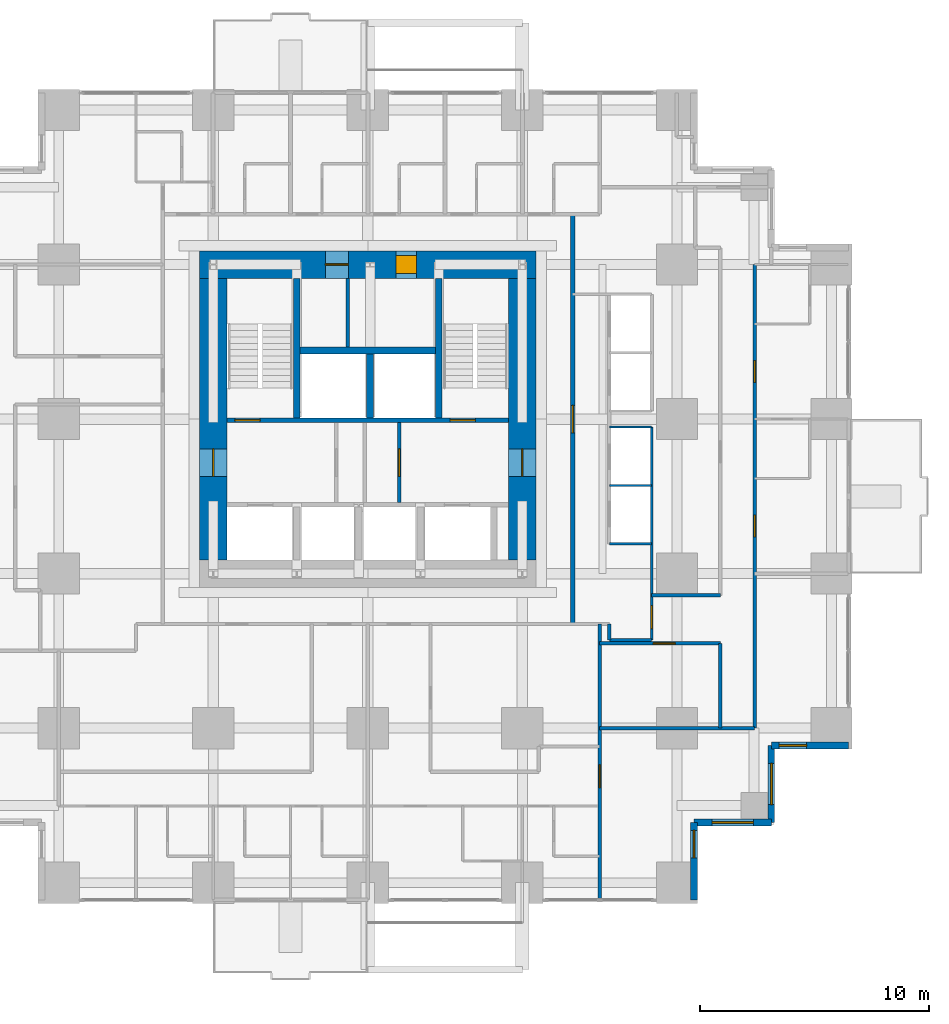
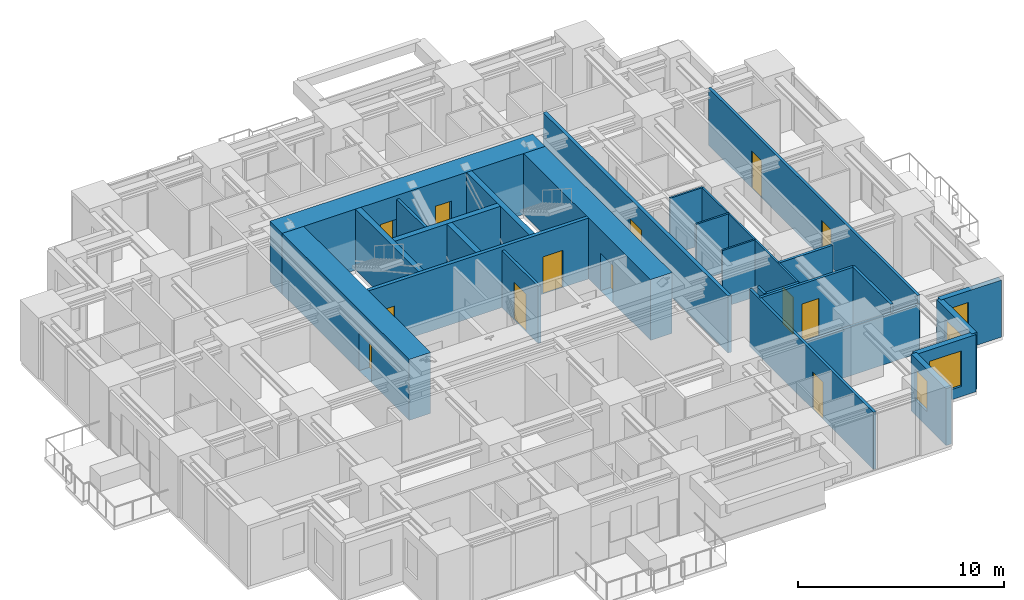
# One storey, part 9 of 13: 27 walls, 13 doors, 4 windows, 17 openings.
"""IFC4 building model written with IfcOpenShell, lengths in metres."""

from ifc_helpers import new_model, si_unit, direction, frame, frame_2d, origin, place, context, subcontext, project, spatial, rectangle, extrude, material, layer, layer_set, type_object, element, fill, save


model = new_model("IFC4")

# Units and contexts
model_context = context("Model", 3, precision=1e-05, world=origin(), true_north=direction((0.0, 1.0)))
body_context = subcontext(model_context, "Body", "Model", "MODEL_VIEW")
ifc_project = project(units=[si_unit("LENGTHUNIT", "METRE"), si_unit("AREAUNIT", "SQUARE_METRE"), si_unit("VOLUMEUNIT", "CUBIC_METRE"), si_unit("PLANEANGLEUNIT", "RADIAN"), si_unit("MASSUNIT", "GRAM", prefix="KILO")], contexts=[model_context])

# Site, building, storey
site_placement = place(None, origin())
site = spatial("IfcSite", under=ifc_project, at=site_placement, CompositionType="ELEMENT")
building_placement = place(site_placement, origin())
building = spatial("IfcBuilding", under=site, at=building_placement, Name="Nyansa Garden Tower", CompositionType="ELEMENT")
storey_placement = place(building_placement, frame((0.0, 0.0, 87.300048828125)))
storey = spatial("IfcBuildingStorey", under=building, at=storey_placement, Name="L23", CompositionType="ELEMENT", Elevation=87.300048828125)

# Wall, openings, doors
ifc_material_1 = material(Name="Concrete C70/85", Category="concrete")
ifc_layer_1 = layer(ifc_material_1, 0.199951171875)
ifc_layer_set_1 = layer_set([ifc_layer_1], Name="Core inner wall CI200")
wall_type_1 = type_object("IfcWallType", Name="Core inner wall CI200", PredefinedType="SHEAR", material=ifc_layer_set_1)
wall_1_placement = place(storey_placement, frame((14.10009765625, 20.199951171875, 0.0), z_axis=(0.0, 0.0, 1.0), x_axis=(1.0, 0.0, 0.0)))
wall_1 = element("IfcWall", 1, at=wall_1_placement, inside=storey, type_object=wall_type_1, Name="Core inner wall L23", PredefinedType="SHEAR", context=body_context, shape_type="SweptSolid", body=[
    extrude(rectangle(XDim=12.2998046875, YDim=0.199951171875, at=frame_2d((6.14990234375, 0.0))), origin(), (0.0, 0.0, 1.0), 3.599853515625),
])
opening_1_placement = place(wall_1_placement, frame((0.35009765625, 0.0, 0.0)))
opening_1 = element("IfcOpeningElement", 2, at=opening_1_placement, cuts=wall_1, Name="Opening D05", PredefinedType="OPENING", context=body_context, shape_type="SweptSolid", body=[
    extrude(rectangle(XDim=1.10009765625, YDim=2.199951171875, at=frame_2d((0.550048828125, 1.10009765625))), frame((0.0, 0.10986328125, 0.0), z_axis=(0.0, -1.0, 0.0), x_axis=(1.0, 0.0, 0.0)), (0.0, 0.0, 1.0), 0.219970703125),
])
opening_2_placement = place(wall_1_placement, frame((9.75, 0.0, 0.0)))
opening_2 = element("IfcOpeningElement", 3, at=opening_2_placement, cuts=wall_1, Name="Opening D05", PredefinedType="OPENING", context=body_context, shape_type="SweptSolid", body=[
    extrude(rectangle(XDim=1.10009765625, YDim=2.199951171875, at=frame_2d((0.550048828125, 1.10009765625))), frame((0.0, 0.10986328125, 0.0), z_axis=(0.0, -1.0, 0.0), x_axis=(1.0, 0.0, 0.0)), (0.0, 0.0, 1.0), 0.219970703125),
])
ifc_material_2 = material(Name="Steel door, 120 minute fire resisting", Category="steel")
door_type_1 = type_object("IfcDoorType", Name="Stair door D05 1100x2200", OperationType="SINGLE_SWING_LEFT", PredefinedType="DOOR", material=ifc_material_2)
door_1_placement = place(opening_1_placement, origin())
door_1 = element("IfcDoor", 4, at=door_1_placement, inside=storey, type_object=door_type_1, Name="Stair S1 door", OperationType="SINGLE_SWING_LEFT", OverallHeight=2.199951171875, OverallWidth=1.10009765625, PredefinedType="DOOR", context=body_context, shape_type="SweptSolid", body=[
    extrude(rectangle(XDim=1.10009765625, YDim=2.199951171875, at=frame_2d((0.550048828125, 1.10009765625))), frame((0.0, 0.02490234375, 0.0), z_axis=(0.0, -1.0, 0.0), x_axis=(1.0, 0.0, 0.0)), (0.0, 0.0, 1.0), 0.050048828125),
])
fill(opening_1, door_1)
door_2_placement = place(opening_2_placement, origin())
door_2 = element("IfcDoor", 5, at=door_2_placement, inside=storey, type_object=door_type_1, Name="Stair S2 door", OperationType="SINGLE_SWING_LEFT", OverallHeight=2.199951171875, OverallWidth=1.10009765625, PredefinedType="DOOR", context=body_context, shape_type="SweptSolid", body=[
    extrude(rectangle(XDim=1.10009765625, YDim=2.199951171875, at=frame_2d((0.550048828125, 1.10009765625))), frame((0.0, 0.02490234375, 0.0), z_axis=(0.0, -1.0, 0.0), x_axis=(1.0, 0.0, 0.0)), (0.0, 0.0, 1.0), 0.050048828125),
])
fill(opening_2, door_2)

# Walls
ifc_material_3 = material(Name="Concrete C70/85", Category="concrete")
ifc_layer_2 = layer(ifc_material_3, 0.300048828125)
ifc_layer_set_2 = layer_set([ifc_layer_2], Name="Core inner wall CI300")
wall_type_2 = type_object("IfcWallType", Name="Core inner wall CI300", PredefinedType="SHEAR", material=ifc_layer_set_2)
for number, where, z_axis, x_axis, name in (
    (6, (17.14990234375, 20.300048828125, 0.0), (0.0, 0.0, 1.0), (0.0, 1.0, 0.0), "Core inner wall L23"),
    (7, (23.35009765625, 20.300048828125, 0.0), (0.0, 0.0, 1.0), (0.0, 1.0, 0.0), "Core inner wall L23"),
):
    element("IfcWall", number, at=place(storey_placement, frame(where, z_axis=z_axis, x_axis=x_axis)), inside=storey, type_object=wall_type_2, Name=name, PredefinedType="SHEAR", context=body_context, shape_type="SweptSolid", body=[
        extrude(rectangle(XDim=6.099853515625, YDim=0.300048828125, at=frame_2d((3.0498046875, 0.0))), origin(), (0.0, 0.0, 1.0), 3.599853515625),
    ])
wall_2_placement = place(storey_placement, frame((20.35009765625, 20.300048828125, 0.0), z_axis=(0.0, 0.0, 1.0), x_axis=(0.0, 1.0, 0.0)))
element("IfcWall", 8, at=wall_2_placement, inside=storey, type_object=wall_type_2, Name="Core inner wall L23", PredefinedType="SHEAR", context=body_context, shape_type="SweptSolid", body=[
    extrude(rectangle(XDim=2.800048828125, YDim=0.300048828125, at=frame_2d((1.39990234375, 0.0))), origin(), (0.0, 0.0, 1.0), 3.599853515625),
])
wall_3_placement = place(storey_placement, frame((17.300048828125, 23.25, 0.0), z_axis=(0.0, 0.0, 1.0), x_axis=(1.0, 0.0, 0.0)))
element("IfcWall", 9, at=wall_3_placement, inside=storey, type_object=wall_type_2, Name="Core inner wall L23", PredefinedType="SHEAR", context=body_context, shape_type="SweptSolid", body=[
    extrude(rectangle(XDim=5.89990234375, YDim=0.300048828125, at=frame_2d((2.949951171875, 0.0))), origin(), (0.0, 0.0, 1.0), 3.599853515625),
])

# Wall, opening, door
ifc_material_4 = material(Name="Concrete C80/95", Category="concrete")
ifc_layer_3 = layer(ifc_material_4, 1.199951171875)
ifc_layer_set_3 = layer_set([ifc_layer_3], Name="Core wall CW1200")
wall_type_3 = type_object("IfcWallType", Name="Core wall CW1200", PredefinedType="SHEAR", material=ifc_layer_set_3)
wall_4_placement = place(storey_placement, frame((27.0, 14.10009765625, 0.0), z_axis=(0.0, 0.0, 1.0), x_axis=(0.0, 1.0, 0.0)))
wall_4 = element("IfcWall", 10, at=wall_4_placement, inside=storey, type_object=wall_type_3, Name="Core wall E L23", PredefinedType="SHEAR", context=body_context, shape_type="SweptSolid", body=[
    extrude(rectangle(XDim=12.2998046875, YDim=1.199951171875, at=frame_2d((6.14990234375, 0.0))), origin(), (0.0, 0.0, 1.0), 3.599853515625),
])
opening_3_placement = place(wall_4_placement, frame((3.64990234375, 0.0, 0.0)))
opening_3 = element("IfcOpeningElement", 11, at=opening_3_placement, cuts=wall_4, Name="Opening D06", PredefinedType="OPENING", context=body_context, shape_type="SweptSolid", body=[
    extrude(rectangle(XDim=1.199951171875, YDim=2.199951171875, at=frame_2d((0.60009765625, 1.10009765625))), frame((0.0, 0.60986328125, 0.0), z_axis=(0.0, -1.0, 0.0), x_axis=(1.0, 0.0, 0.0)), (0.0, 0.0, 1.0), 1.219970703125),
])
ifc_material_5 = material(Name="Steel door, 120 minute fire resisting", Category="steel")
door_type_2 = type_object("IfcDoorType", Name="Lobby door D06 1200x2200", OperationType="DOUBLE_DOOR_SINGLE_SWING", PredefinedType="DOOR", material=ifc_material_5)
door_3_placement = place(opening_3_placement, origin())
door_3 = element("IfcDoor", 12, at=door_3_placement, inside=storey, type_object=door_type_2, Name="Lift lobby door east", OperationType="DOUBLE_DOOR_SINGLE_SWING", OverallHeight=2.199951171875, OverallWidth=1.199951171875, PredefinedType="DOOR", context=body_context, shape_type="SweptSolid", body=[
    extrude(rectangle(XDim=1.199951171875, YDim=2.199951171875, at=frame_2d((0.60009765625, 1.10009765625))), frame((0.0, 0.02490234375, 0.0), z_axis=(0.0, -1.0, 0.0), x_axis=(1.0, 0.0, 0.0)), (0.0, 0.0, 1.0), 0.050048828125),
])
fill(opening_3, door_3)

# Wall, openings, doors
wall_5_placement = place(storey_placement, frame((27.60009765625, 27.0, 0.0), z_axis=(0.0, 0.0, 1.0), x_axis=(-1.0, 0.0, 0.0)))
wall_5 = element("IfcWall", 13, at=wall_5_placement, inside=storey, type_object=wall_type_3, Name="Core wall N L23", PredefinedType="SHEAR", context=body_context, shape_type="SweptSolid", body=[
    extrude(rectangle(XDim=14.7001953125, YDim=1.199951171875, at=frame_2d((7.35009765625, 0.0))), origin(), (0.0, 0.0, 1.0), 3.599853515625),
])
opening_4_placement = place(wall_5_placement, frame((5.22509765625, 0.0, 0.0)))
opening_4 = element("IfcOpeningElement", 14, at=opening_4_placement, cuts=wall_5, Name="Opening D15", PredefinedType="OPENING", context=body_context, shape_type="SweptSolid", body=[
    extrude(rectangle(XDim=0.89990234375, YDim=2.199951171875, at=frame_2d((0.449951171875, 1.10009765625))), frame((0.0, 0.60986328125, 0.0), z_axis=(0.0, -1.0, 0.0), x_axis=(1.0, 0.0, 0.0)), (0.0, 0.0, 1.0), 1.219970703125),
])
opening_5_placement = place(wall_5_placement, frame((8.199951171875, 0.0, 0.0)))
opening_5 = element("IfcOpeningElement", 15, at=opening_5_placement, cuts=wall_5, Name="Opening D07", PredefinedType="OPENING", context=body_context, shape_type="SweptSolid", body=[
    extrude(rectangle(XDim=1.0, YDim=2.199951171875, at=frame_2d((0.5, 1.10009765625))), frame((0.0, 0.60986328125, 0.0), z_axis=(0.0, -1.0, 0.0), x_axis=(1.0, 0.0, 0.0)), (0.0, 0.0, 1.0), 1.219970703125),
])
ifc_material_6 = material(Name="Timber flush door, 60 minute fire resisting, self-closing", Category="wood")
door_type_3 = type_object("IfcDoorType", Name="Core room door D15 900x2200", OperationType="SINGLE_SWING_LEFT", PredefinedType="DOOR", material=ifc_material_6)
door_4_placement = place(opening_4_placement, origin())
door_4 = element("IfcDoor", 16, at=door_4_placement, inside=storey, type_object=door_type_3, Name="Core room door", OperationType="SINGLE_SWING_LEFT", OverallHeight=2.199951171875, OverallWidth=0.89990234375, PredefinedType="DOOR", context=body_context, shape_type="SweptSolid", body=[
    extrude(rectangle(XDim=0.89990234375, YDim=2.199951171875, at=frame_2d((0.449951171875, 1.10009765625))), frame((0.0, 0.39990234375, 0.0), z_axis=(0.0, -1.0, 0.0), x_axis=(1.0, 0.0, 0.0)), (0.0, 0.0, 1.0), 0.800048828125),
])
fill(opening_4, door_4)
ifc_material_7 = material(Name="Steel door, 120 minute fire resisting", Category="steel")
door_type_4 = type_object("IfcDoorType", Name="Riser door D07 1000x2200", OperationType="SINGLE_SWING_LEFT", PredefinedType="DOOR", material=ifc_material_7)
door_5_placement = place(opening_5_placement, origin())
door_5 = element("IfcDoor", 17, at=door_5_placement, inside=storey, type_object=door_type_4, Name="Riser and refuse room door", OperationType="SINGLE_SWING_LEFT", OverallHeight=2.199951171875, OverallWidth=1.0, PredefinedType="DOOR", context=body_context, shape_type="SweptSolid", body=[
    extrude(rectangle(XDim=1.0, YDim=2.199951171875, at=frame_2d((0.5, 1.10009765625))), frame((0.0, 0.02490234375, 0.0), z_axis=(0.0, -1.0, 0.0), x_axis=(1.0, 0.0, 0.0)), (0.0, 0.0, 1.0), 0.050048828125),
])
fill(opening_5, door_5)

# Wall, opening, door
wall_6_placement = place(storey_placement, frame((13.5, 26.39990234375, 0.0), z_axis=(0.0, 0.0, 1.0), x_axis=(0.0, -1.0, 0.0)))
wall_6 = element("IfcWall", 18, at=wall_6_placement, inside=storey, type_object=wall_type_3, Name="Core wall W L23", PredefinedType="SHEAR", context=body_context, shape_type="SweptSolid", body=[
    extrude(rectangle(XDim=12.2998046875, YDim=1.199951171875, at=frame_2d((6.14990234375, 0.0))), origin(), (0.0, 0.0, 1.0), 3.599853515625),
])
opening_6_placement = place(wall_6_placement, frame((7.449951171875, 0.0, 0.0)))
opening_6 = element("IfcOpeningElement", 19, at=opening_6_placement, cuts=wall_6, Name="Opening D06", PredefinedType="OPENING", context=body_context, shape_type="SweptSolid", body=[
    extrude(rectangle(XDim=1.199951171875, YDim=2.199951171875, at=frame_2d((0.60009765625, 1.10009765625))), frame((0.0, 0.60986328125, 0.0), z_axis=(0.0, -1.0, 0.0), x_axis=(1.0, 0.0, 0.0)), (0.0, 0.0, 1.0), 1.219970703125),
])
door_6_placement = place(opening_6_placement, origin())
door_6 = element("IfcDoor", 20, at=door_6_placement, inside=storey, type_object=door_type_2, Name="Lift lobby door west", OperationType="DOUBLE_DOOR_SINGLE_SWING", OverallHeight=2.199951171875, OverallWidth=1.199951171875, PredefinedType="DOOR", context=body_context, shape_type="SweptSolid", body=[
    extrude(rectangle(XDim=1.199951171875, YDim=2.199951171875, at=frame_2d((0.60009765625, 1.10009765625))), frame((0.0, 0.02490234375, 0.0), z_axis=(0.0, -1.0, 0.0), x_axis=(1.0, 0.0, 0.0)), (0.0, 0.0, 1.0), 0.050048828125),
])
fill(opening_6, door_6)

ifc_material_8 = material(Name="Concrete blockwork, plastered, 60 minute fire resisting", Category="masonry")
ifc_layer_4 = layer(ifc_material_8, 0.199951171875)
ifc_layer_set_4 = layer_set([ifc_layer_4], Name="Corridor wall FW200")
wall_type_4 = type_object("IfcWallType", Name="Corridor wall FW200", PredefinedType="PARTITIONING", material=ifc_layer_set_4)
wall_7_placement = place(storey_placement, frame((29.199951171875, 11.300048828125, 0.0), z_axis=(0.0, 0.0, 1.0), x_axis=(0.0, 1.0, 0.0)))
wall_7 = element("IfcWall", 21, at=wall_7_placement, inside=storey, type_object=wall_type_4, Name="Corridor wall", PredefinedType="PARTITIONING", context=body_context, shape_type="SweptSolid", body=[
    extrude(rectangle(XDim=17.89990234375, YDim=0.199951171875, at=frame_2d((8.949951171875, 0.0))), origin(), (0.0, 0.0, 1.0), 3.375),
])
opening_7_placement = place(wall_7_placement, frame((8.35009765625, 0.0, 0.0)))
opening_7 = element("IfcOpeningElement", 22, at=opening_7_placement, cuts=wall_7, Name="Opening D06", PredefinedType="OPENING", context=body_context, shape_type="SweptSolid", body=[
    extrude(rectangle(XDim=1.199951171875, YDim=2.199951171875, at=frame_2d((0.60009765625, 1.10009765625))), frame((0.0, 0.10986328125, 0.0), z_axis=(0.0, -1.0, 0.0), x_axis=(1.0, 0.0, 0.0)), (0.0, 0.0, 1.0), 0.219970703125),
])
door_7_placement = place(opening_7_placement, origin())
door_7 = element("IfcDoor", 23, at=door_7_placement, inside=storey, type_object=door_type_2, Name="Low-rise lift lobby door", OperationType="DOUBLE_DOOR_SINGLE_SWING", OverallHeight=2.199951171875, OverallWidth=1.199951171875, PredefinedType="DOOR", context=body_context, shape_type="SweptSolid", body=[
    extrude(rectangle(XDim=1.199951171875, YDim=2.199951171875, at=frame_2d((0.60009765625, 1.10009765625))), frame((0.0, 0.02490234375, 0.0), z_axis=(0.0, -1.0, 0.0), x_axis=(1.0, 0.0, 0.0)), (0.0, 0.0, 1.0), 0.050048828125),
])
fill(opening_7, door_7)

# Walls
ifc_material_9 = material(Name="Steel-stud shaft wall, two layers fire-rated board, EI 120", Category="steel")
ifc_layer_5 = layer(ifc_material_9, 0.10009765625)
ifc_layer_set_5 = layer_set([ifc_layer_5], Name="Lift shaft wall SW100")
wall_type_5 = type_object("IfcWallType", Name="Lift shaft wall SW100", PredefinedType="SHEAR", material=ifc_layer_set_5)
for number, where, z_axis, x_axis, name in (
    (24, (30.800048828125, 14.800048828125, 0.0), (0.0, 0.0, 1.0), (1.0, 0.0, 0.0), "Lift shaft wall"),
    (25, (30.800048828125, 17.35009765625, 0.0), (0.0, 0.0, 1.0), (1.0, 0.0, 0.0), "Lift shaft wall"),
    (26, (30.800048828125, 19.89990234375, 0.0), (0.0, 0.0, 1.0), (1.0, 0.0, 0.0), "Lift shaft wall"),
):
    element("IfcWall", number, at=place(storey_placement, frame(where, z_axis=z_axis, x_axis=x_axis)), inside=storey, type_object=wall_type_5, Name=name, PredefinedType="SHEAR", context=body_context, shape_type="SweptSolid", body=[
        extrude(rectangle(XDim=1.849853515625, YDim=0.10009765625, at=frame_2d((0.9248046875, 0.0))), origin(), (0.0, 0.0, 1.0), 3.375),
    ])

# Wall, opening, door
wall_8_placement = place(storey_placement, frame((32.64990234375, 10.60009765625, 0.0), z_axis=(0.0, 0.0, 1.0), x_axis=(0.0, 1.0, 0.0)))
wall_8 = element("IfcWall", 27, at=wall_8_placement, inside=storey, type_object=wall_type_5, Name="Lift shaft wall", PredefinedType="SHEAR", context=body_context, shape_type="SweptSolid", body=[
    extrude(rectangle(XDim=9.2998046875, YDim=0.10009765625, at=frame_2d((4.64990234375, 0.0))), origin(), (0.0, 0.0, 1.0), 3.375),
])
opening_8_placement = place(wall_8_placement, frame((0.5, 0.0, 0.0)))
opening_8 = element("IfcOpeningElement", 28, at=opening_8_placement, cuts=wall_8, Name="Opening D03", PredefinedType="OPENING", context=body_context, shape_type="SweptSolid", body=[
    extrude(rectangle(XDim=1.0, YDim=2.199951171875, at=frame_2d((0.5, 1.10009765625))), frame((0.0, 0.06005859375, 0.0), z_axis=(0.0, -1.0, 0.0), x_axis=(1.0, 0.0, 0.0)), (0.0, 0.0, 1.0), 0.1201171875),
])
ifc_material_10 = material(Name="Timber flush door, 60 minute fire resisting", Category="wood")
door_type_5 = type_object("IfcDoorType", Name="Cluster entrance door D03 1000x2200", OperationType="SINGLE_SWING_LEFT", PredefinedType="DOOR", material=ifc_material_10)
door_8_placement = place(opening_8_placement, origin())
door_8 = element("IfcDoor", 29, at=door_8_placement, inside=storey, type_object=door_type_5, Name="Door L23-037", OperationType="SINGLE_SWING_LEFT", OverallHeight=2.199951171875, OverallWidth=1.0, PredefinedType="DOOR", context=body_context, shape_type="SweptSolid", body=[
    extrude(rectangle(XDim=1.0, YDim=2.199951171875, at=frame_2d((0.5, 1.10009765625))), frame((0.0, 0.02490234375, 0.0), z_axis=(0.0, -1.0, 0.0), x_axis=(1.0, 0.0, 0.0)), (0.0, 0.0, 1.0), 0.050048828125),
])
fill(opening_8, door_8)

ifc_material_11 = material(Name="Blockwork, plastered both sides", Category="masonry")
ifc_layer_6 = layer(ifc_material_11, 0.14990234375)
ifc_layer_set_6 = layer_set([ifc_layer_6], Name="Partition PW150")
wall_type_6 = type_object("IfcWallType", Name="Partition PW150", PredefinedType="PARTITIONING", material=ifc_layer_set_6)
wall_9_placement = place(storey_placement, frame((21.625, 16.60009765625, 0.0), z_axis=(0.0, 0.0, 1.0), x_axis=(0.0, 1.0, 0.0)))
wall_9 = element("IfcWall", 30, at=wall_9_placement, inside=storey, type_object=wall_type_6, Name="Partition", PredefinedType="PARTITIONING", context=body_context, shape_type="SweptSolid", body=[
    extrude(rectangle(XDim=3.5, YDim=0.14990234375, at=frame_2d((1.75, 0.0))), origin(), (0.0, 0.0, 1.0), 3.375),
])
opening_9_placement = place(wall_9_placement, frame((1.14990234375, 0.0, 0.0)))
opening_9 = element("IfcOpeningElement", 31, at=opening_9_placement, cuts=wall_9, Name="Opening D06", PredefinedType="OPENING", context=body_context, shape_type="SweptSolid", body=[
    extrude(rectangle(XDim=1.199951171875, YDim=2.199951171875, at=frame_2d((0.60009765625, 1.10009765625))), frame((0.0, 0.0849609375, 0.0), z_axis=(0.0, -1.0, 0.0), x_axis=(1.0, 0.0, 0.0)), (0.0, 0.0, 1.0), 0.169921875),
])
door_9_placement = place(opening_9_placement, origin())
door_9 = element("IfcDoor", 32, at=door_9_placement, inside=storey, type_object=door_type_2, Name="Passenger lift lobby door", OperationType="DOUBLE_DOOR_SINGLE_SWING", OverallHeight=2.199951171875, OverallWidth=1.199951171875, PredefinedType="DOOR", context=body_context, shape_type="SweptSolid", body=[
    extrude(rectangle(XDim=1.199951171875, YDim=2.199951171875, at=frame_2d((0.60009765625, 1.10009765625))), frame((0.0, 0.02490234375, 0.0), z_axis=(0.0, -1.0, 0.0), x_axis=(1.0, 0.0, 0.0)), (0.0, 0.0, 1.0), 0.050048828125),
])
fill(opening_9, door_9)

# Wall
wall_10_placement = place(storey_placement, frame((19.375, 23.39990234375, 0.0), z_axis=(0.0, 0.0, 1.0), x_axis=(0.0, 1.0, 0.0)))
element("IfcWall", 33, at=wall_10_placement, inside=storey, type_object=wall_type_6, Name="Partition", PredefinedType="PARTITIONING", context=body_context, shape_type="SweptSolid", body=[
    extrude(rectangle(XDim=3.0, YDim=0.14990234375, at=frame_2d((1.5, 0.0))), origin(), (0.0, 0.0, 1.0), 3.375),
])

# Wall, opening, door
wall_11_placement = place(storey_placement, frame((30.375, -0.73388671875, 0.0), z_axis=(0.0, 0.0, 1.0), x_axis=(0.0, 1.0, 0.0)))
wall_11 = element("IfcWall", 34, at=wall_11_placement, inside=storey, type_object=wall_type_6, Name="Partition", PredefinedType="PARTITIONING", context=body_context, shape_type="SweptSolid", body=[
    extrude(rectangle(XDim=12.033935546875, YDim=0.14990234375, at=frame_2d((6.01708984375, 0.0))), origin(), (0.0, 0.0, 1.0), 3.375),
])
opening_10_placement = place(wall_11_placement, frame((4.884033203125, 0.0, 0.0)))
opening_10 = element("IfcOpeningElement", 35, at=opening_10_placement, cuts=wall_11, Name="Opening D03", PredefinedType="OPENING", context=body_context, shape_type="SweptSolid", body=[
    extrude(rectangle(XDim=1.0, YDim=2.199951171875, at=frame_2d((0.5, 1.10009765625))), frame((0.0, 0.0849609375, 0.0), z_axis=(0.0, -1.0, 0.0), x_axis=(1.0, 0.0, 0.0)), (0.0, 0.0, 1.0), 0.169921875),
])
door_10_placement = place(opening_10_placement, origin())
door_10 = element("IfcDoor", 36, at=door_10_placement, inside=storey, type_object=door_type_5, Name="Door L23-032", OperationType="SINGLE_SWING_LEFT", OverallHeight=2.199951171875, OverallWidth=1.0, PredefinedType="DOOR", context=body_context, shape_type="SweptSolid", body=[
    extrude(rectangle(XDim=1.0, YDim=2.199951171875, at=frame_2d((0.5, 1.10009765625))), frame((0.0, 0.02490234375, 0.0), z_axis=(0.0, -1.0, 0.0), x_axis=(1.0, 0.0, 0.0)), (0.0, 0.0, 1.0), 0.050048828125),
])
fill(opening_10, door_10)

# Wall
wall_12_placement = place(storey_placement, frame((30.375, 6.75, 0.0), z_axis=(0.0, 0.0, 1.0), x_axis=(1.0, 0.0, 0.0)))
element("IfcWall", 37, at=wall_12_placement, inside=storey, type_object=wall_type_6, Name="Partition", PredefinedType="PARTITIONING", context=body_context, shape_type="SweptSolid", body=[
    extrude(rectangle(XDim=6.77490234375, YDim=0.14990234375, at=frame_2d((3.387451171875, 0.0))), origin(), (0.0, 0.0, 1.0), 2.876953125),
])

# Wall, opening, door
wall_13_placement = place(storey_placement, frame((30.375, 10.449951171875, 0.0), z_axis=(0.0, 0.0, 1.0), x_axis=(1.0, 0.0, 0.0)))
wall_13 = element("IfcWall", 38, at=wall_13_placement, inside=storey, type_object=wall_type_6, Name="Partition", PredefinedType="PARTITIONING", context=body_context, shape_type="SweptSolid", body=[
    extrude(rectangle(XDim=5.27490234375, YDim=0.14990234375, at=frame_2d((2.637451171875, 0.0))), origin(), (0.0, 0.0, 1.0), 3.375),
])
opening_11_placement = place(wall_13_placement, frame((2.35009765625, 0.0, 0.0)))
opening_11 = element("IfcOpeningElement", 39, at=opening_11_placement, cuts=wall_13, Name="Opening D01", PredefinedType="OPENING", context=body_context, shape_type="SweptSolid", body=[
    extrude(rectangle(XDim=0.949951171875, YDim=2.199951171875, at=frame_2d((0.47509765625, 1.10009765625))), frame((0.0, 0.0849609375, 0.0), z_axis=(0.0, -1.0, 0.0), x_axis=(1.0, 0.0, 0.0)), (0.0, 0.0, 1.0), 0.169921875),
])
ifc_material_12 = material(Name="Timber flush door, 30 minute fire resisting", Category="wood")
door_type_6 = type_object("IfcDoorType", Name="Bedroom door D01 950x2200", OperationType="SINGLE_SWING_LEFT", PredefinedType="DOOR", material=ifc_material_12)
door_11_placement = place(opening_11_placement, origin())
door_11 = element("IfcDoor", 40, at=door_11_placement, inside=storey, type_object=door_type_6, Name="Door L23-039", OperationType="SINGLE_SWING_LEFT", OverallHeight=2.199951171875, OverallWidth=0.949951171875, PredefinedType="DOOR", context=body_context, shape_type="SweptSolid", body=[
    extrude(rectangle(XDim=0.949951171875, YDim=2.199951171875, at=frame_2d((0.47509765625, 1.10009765625))), frame((0.0, 0.02490234375, 0.0), z_axis=(0.0, -1.0, 0.0), x_axis=(1.0, 0.0, 0.0)), (0.0, 0.0, 1.0), 0.050048828125),
])
fill(opening_11, door_11)

# Walls
wall_14_placement = place(storey_placement, frame((30.800048828125, 10.60009765625, 0.0), z_axis=(0.0, 0.0, 1.0), x_axis=(0.0, 1.0, 0.0)))
element("IfcWall", 41, at=wall_14_placement, inside=storey, type_object=wall_type_6, Name="Partition", PredefinedType="PARTITIONING", context=body_context, shape_type="SweptSolid", body=[
    extrude(rectangle(XDim=0.699951171875, YDim=0.14990234375, at=frame_2d((0.35009765625, 0.0))), origin(), (0.0, 0.0, 1.0), 3.375),
])
wall_15_placement = place(storey_placement, frame((30.800048828125, 10.60009765625, 0.0), z_axis=(0.0, 0.0, 1.0), x_axis=(1.0, 0.0, 0.0)))
element("IfcWall", 42, at=wall_15_placement, inside=storey, type_object=wall_type_6, Name="Partition", PredefinedType="PARTITIONING", context=body_context, shape_type="SweptSolid", body=[
    extrude(rectangle(XDim=1.849853515625, YDim=0.14990234375, at=frame_2d((0.9248046875, 0.0))), origin(), (0.0, 0.0, 1.0), 3.375),
])
wall_16_placement = place(storey_placement, frame((32.64990234375, 12.550048828125, 0.0), z_axis=(0.0, 0.0, 1.0), x_axis=(1.0, 0.0, 0.0)))
element("IfcWall", 43, at=wall_16_placement, inside=storey, type_object=wall_type_6, Name="Partition", PredefinedType="PARTITIONING", context=body_context, shape_type="SweptSolid", body=[
    extrude(rectangle(XDim=3.0, YDim=0.14990234375, at=frame_2d((1.5, 0.0))), origin(), (0.0, 0.0, 1.0), 3.375),
])
wall_17_placement = place(storey_placement, frame((35.64990234375, 6.75, 0.0), z_axis=(0.0, 0.0, 1.0), x_axis=(0.0, 1.0, 0.0)))
element("IfcWall", 44, at=wall_17_placement, inside=storey, type_object=wall_type_6, Name="Partition", PredefinedType="PARTITIONING", context=body_context, shape_type="SweptSolid", body=[
    extrude(rectangle(XDim=3.699951171875, YDim=0.14990234375, at=frame_2d((1.85009765625, 0.0))), origin(), (0.0, 0.0, 1.0), 3.375),
])

# Wall, openings, doors
wall_18_placement = place(storey_placement, frame((37.14990234375, 6.75, 0.0), z_axis=(0.0, 0.0, 1.0), x_axis=(0.0, 1.0, 0.0)))
wall_18 = element("IfcWall", 45, at=wall_18_placement, inside=storey, type_object=wall_type_6, Name="Partition", PredefinedType="PARTITIONING", context=body_context, shape_type="SweptSolid", body=[
    extrude(rectangle(XDim=20.25, YDim=0.14990234375, at=frame_2d((10.125, 0.0))), origin(), (0.0, 0.0, 1.0), 3.375),
])
opening_12_placement = place(wall_18_placement, frame((15.10009765625, 0.0, 0.0)))
opening_12 = element("IfcOpeningElement", 46, at=opening_12_placement, cuts=wall_18, Name="Opening D14", PredefinedType="OPENING", context=body_context, shape_type="SweptSolid", body=[
    extrude(rectangle(XDim=0.949951171875, YDim=2.199951171875, at=frame_2d((0.47509765625, 1.10009765625))), frame((0.0, 0.0849609375, 0.0), z_axis=(0.0, -1.0, 0.0), x_axis=(1.0, 0.0, 0.0)), (0.0, 0.0, 1.0), 0.169921875),
])
opening_13_placement = place(wall_18_placement, frame((8.35009765625, 0.0, 0.0)))
opening_13 = element("IfcOpeningElement", 47, at=opening_13_placement, cuts=wall_18, Name="Opening D14", PredefinedType="OPENING", context=body_context, shape_type="SweptSolid", body=[
    extrude(rectangle(XDim=0.949951171875, YDim=2.199951171875, at=frame_2d((0.47509765625, 1.10009765625))), frame((0.0, 0.0849609375, 0.0), z_axis=(0.0, -1.0, 0.0), x_axis=(1.0, 0.0, 0.0)), (0.0, 0.0, 1.0), 0.169921875),
])
ifc_material_13 = material(Name="Timber flush door, 60 minute fire resisting, self-closing", Category="wood")
door_type_7 = type_object("IfcDoorType", Name="Studio entrance door D14 950x2200", OperationType="SINGLE_SWING_LEFT", PredefinedType="DOOR", material=ifc_material_13)
door_12_placement = place(opening_12_placement, origin())
door_12 = element("IfcDoor", 48, at=door_12_placement, inside=storey, type_object=door_type_7, Name="Door L23-033", OperationType="SINGLE_SWING_LEFT", OverallHeight=2.199951171875, OverallWidth=0.949951171875, PredefinedType="DOOR", context=body_context, shape_type="SweptSolid", body=[
    extrude(rectangle(XDim=0.949951171875, YDim=2.199951171875, at=frame_2d((0.47509765625, 1.10009765625))), frame((0.0, 0.02490234375, 0.0), z_axis=(0.0, -1.0, 0.0), x_axis=(1.0, 0.0, 0.0)), (0.0, 0.0, 1.0), 0.050048828125),
])
fill(opening_12, door_12)
door_13_placement = place(opening_13_placement, origin())
door_13 = element("IfcDoor", 49, at=door_13_placement, inside=storey, type_object=door_type_7, Name="Door L23-035", OperationType="SINGLE_SWING_LEFT", OverallHeight=2.199951171875, OverallWidth=0.949951171875, PredefinedType="DOOR", context=body_context, shape_type="SweptSolid", body=[
    extrude(rectangle(XDim=0.949951171875, YDim=2.199951171875, at=frame_2d((0.47509765625, 1.10009765625))), frame((0.0, 0.02490234375, 0.0), z_axis=(0.0, -1.0, 0.0), x_axis=(1.0, 0.0, 0.0)), (0.0, 0.0, 1.0), 0.050048828125),
])
fill(opening_13, door_13)

# Wall, opening, window
ifc_material_14 = material(Name="Turquoise glazed tile on concrete blockwork", Category="masonry")
ifc_layer_7 = layer(ifc_material_14, 0.300048828125)
ifc_layer_set_7 = layer_set([ifc_layer_7], Name="Tiled corner wall TW300")
wall_type_7 = type_object("IfcWallType", Name="Tiled corner wall TW300", PredefinedType="SOLIDWALL", material=ifc_layer_set_7)
wall_19_placement = place(storey_placement, frame((34.5, -0.75, 0.0), z_axis=(0.0, 0.0, 1.0), x_axis=(0.0, 1.0, 0.0)))
wall_19 = element("IfcWall", 50, at=wall_19_placement, inside=storey, type_object=wall_type_7, Name="Tiled corner wall L23", PredefinedType="SOLIDWALL", context=body_context, shape_type="SweptSolid", body=[
    extrude(rectangle(XDim=3.375, YDim=0.300048828125, at=frame_2d((1.6875, 0.0))), origin(), (0.0, 0.0, 1.0), 3.375),
])
opening_14_placement = place(wall_19_placement, frame((1.83251953125, 0.0, 0.89990234375)))
opening_14 = element("IfcOpeningElement", 51, at=opening_14_placement, cuts=wall_19, Name="Opening W4", PredefinedType="OPENING", context=body_context, shape_type="SweptSolid", body=[
    extrude(rectangle(XDim=1.199951171875, YDim=1.800048828125, at=frame_2d((0.60009765625, 0.89990234375))), frame((0.0, 0.159912109375, 0.0), z_axis=(0.0, -1.0, 0.0), x_axis=(1.0, 0.0, 0.0)), (0.0, 0.0, 1.0), 0.320068359375),
])
ifc_material_15 = material(Name="Black aluminium frame, dark tinted double glazing", Category="aluminium")
window_type_1 = type_object("IfcWindowType", Name="Window W4 1200x1800", PartitioningType="SINGLE_PANEL", PredefinedType="WINDOW", material=ifc_material_15)
window_1_placement = place(opening_14_placement, origin())
window_1 = element("IfcWindow", 52, at=window_1_placement, inside=storey, type_object=window_type_1, Name="Corner window L23", OverallHeight=1.800048828125, OverallWidth=1.199951171875, PartitioningType="SINGLE_PANEL", PredefinedType="WINDOW", context=body_context, shape_type="SweptSolid", body=[
    extrude(rectangle(XDim=1.199951171875, YDim=1.800048828125, at=frame_2d((0.60009765625, 0.89990234375))), frame((0.0, 0.030029296875, 0.0), z_axis=(0.0, -1.0, 0.0), x_axis=(1.0, 0.0, 0.0)), (0.0, 0.0, 1.0), 0.06005859375),
])
fill(opening_14, window_1)

wall_20_placement = place(storey_placement, frame((34.5, 2.625, 0.0), z_axis=(0.0, 0.0, 1.0), x_axis=(1.0, 0.0, 0.0)))
wall_20 = element("IfcWall", 53, at=wall_20_placement, inside=storey, type_object=wall_type_7, Name="Tiled corner wall L23", PredefinedType="SOLIDWALL", context=body_context, shape_type="SweptSolid", body=[
    extrude(rectangle(XDim=3.375, YDim=0.300048828125, at=frame_2d((1.6875, 0.0))), origin(), (0.0, 0.0, 1.0), 3.375),
])
opening_15_placement = place(wall_20_placement, frame((0.78759765625, 0.0, 0.60009765625)))
opening_15 = element("IfcOpeningElement", 54, at=opening_15_placement, cuts=wall_20, Name="Opening W2", PredefinedType="OPENING", context=body_context, shape_type="SweptSolid", body=[
    extrude(rectangle(XDim=1.800048828125, YDim=2.10009765625, at=frame_2d((0.89990234375, 1.050048828125))), frame((0.0, 0.159912109375, 0.0), z_axis=(0.0, -1.0, 0.0), x_axis=(1.0, 0.0, 0.0)), (0.0, 0.0, 1.0), 0.320068359375),
])
ifc_material_16 = material(Name="Black aluminium frame, dark tinted double glazing", Category="aluminium")
window_type_2 = type_object("IfcWindowType", Name="Window W2 1800x2100", PartitioningType="SINGLE_PANEL", PredefinedType="WINDOW", material=ifc_material_16)
window_2_placement = place(opening_15_placement, origin())
window_2 = element("IfcWindow", 55, at=window_2_placement, inside=storey, type_object=window_type_2, Name="Corner window L23", OverallHeight=2.10009765625, OverallWidth=1.800048828125, PartitioningType="SINGLE_PANEL", PredefinedType="WINDOW", context=body_context, shape_type="SweptSolid", body=[
    extrude(rectangle(XDim=1.800048828125, YDim=2.10009765625, at=frame_2d((0.89990234375, 1.050048828125))), frame((0.0, 0.030029296875, 0.0), z_axis=(0.0, -1.0, 0.0), x_axis=(1.0, 0.0, 0.0)), (0.0, 0.0, 1.0), 0.06005859375),
])
fill(opening_15, window_2)

wall_21_placement = place(storey_placement, frame((37.875, 2.625, 0.0), z_axis=(0.0, 0.0, 1.0), x_axis=(0.0, 1.0, 0.0)))
wall_21 = element("IfcWall", 56, at=wall_21_placement, inside=storey, type_object=wall_type_7, Name="Tiled corner wall L23", PredefinedType="SOLIDWALL", context=body_context, shape_type="SweptSolid", body=[
    extrude(rectangle(XDim=3.375, YDim=0.300048828125, at=frame_2d((1.6875, 0.0))), origin(), (0.0, 0.0, 1.0), 3.375),
])
opening_16_placement = place(wall_21_placement, frame((0.78759765625, 0.0, 0.60009765625)))
opening_16 = element("IfcOpeningElement", 57, at=opening_16_placement, cuts=wall_21, Name="Opening W2", PredefinedType="OPENING", context=body_context, shape_type="SweptSolid", body=[
    extrude(rectangle(XDim=1.800048828125, YDim=2.10009765625, at=frame_2d((0.89990234375, 1.050048828125))), frame((0.0, 0.159912109375, 0.0), z_axis=(0.0, -1.0, 0.0), x_axis=(1.0, 0.0, 0.0)), (0.0, 0.0, 1.0), 0.320068359375),
])
window_3_placement = place(opening_16_placement, origin())
window_3 = element("IfcWindow", 58, at=window_3_placement, inside=storey, type_object=window_type_2, Name="Corner window L23", OverallHeight=2.10009765625, OverallWidth=1.800048828125, PartitioningType="SINGLE_PANEL", PredefinedType="WINDOW", context=body_context, shape_type="SweptSolid", body=[
    extrude(rectangle(XDim=1.800048828125, YDim=2.10009765625, at=frame_2d((0.89990234375, 1.050048828125))), frame((0.0, 0.030029296875, 0.0), z_axis=(0.0, -1.0, 0.0), x_axis=(1.0, 0.0, 0.0)), (0.0, 0.0, 1.0), 0.06005859375),
])
fill(opening_16, window_3)

wall_22_placement = place(storey_placement, frame((37.875, 6.0, 0.0), z_axis=(0.0, 0.0, 1.0), x_axis=(1.0, 0.0, 0.0)))
wall_22 = element("IfcWall", 59, at=wall_22_placement, inside=storey, type_object=wall_type_7, Name="Tiled corner wall L23", PredefinedType="SOLIDWALL", context=body_context, shape_type="SweptSolid", body=[
    extrude(rectangle(XDim=3.375, YDim=0.300048828125, at=frame_2d((1.6875, 0.0))), origin(), (0.0, 0.0, 1.0), 3.375),
])
opening_17_placement = place(wall_22_placement, frame((0.342529296875, 0.0, 0.89990234375)))
opening_17 = element("IfcOpeningElement", 60, at=opening_17_placement, cuts=wall_22, Name="Opening W4", PredefinedType="OPENING", context=body_context, shape_type="SweptSolid", body=[
    extrude(rectangle(XDim=1.199951171875, YDim=1.800048828125, at=frame_2d((0.60009765625, 0.89990234375))), frame((0.0, 0.159912109375, 0.0), z_axis=(0.0, -1.0, 0.0), x_axis=(1.0, 0.0, 0.0)), (0.0, 0.0, 1.0), 0.320068359375),
])
window_4_placement = place(opening_17_placement, origin())
window_4 = element("IfcWindow", 61, at=window_4_placement, inside=storey, type_object=window_type_1, Name="Corner window L23", OverallHeight=1.800048828125, OverallWidth=1.199951171875, PartitioningType="SINGLE_PANEL", PredefinedType="WINDOW", context=body_context, shape_type="SweptSolid", body=[
    extrude(rectangle(XDim=1.199951171875, YDim=1.800048828125, at=frame_2d((0.60009765625, 0.89990234375))), frame((0.0, 0.030029296875, 0.0), z_axis=(0.0, -1.0, 0.0), x_axis=(1.0, 0.0, 0.0)), (0.0, 0.0, 1.0), 0.06005859375),
])
fill(opening_17, window_4)

save(model, "model.ifc")
